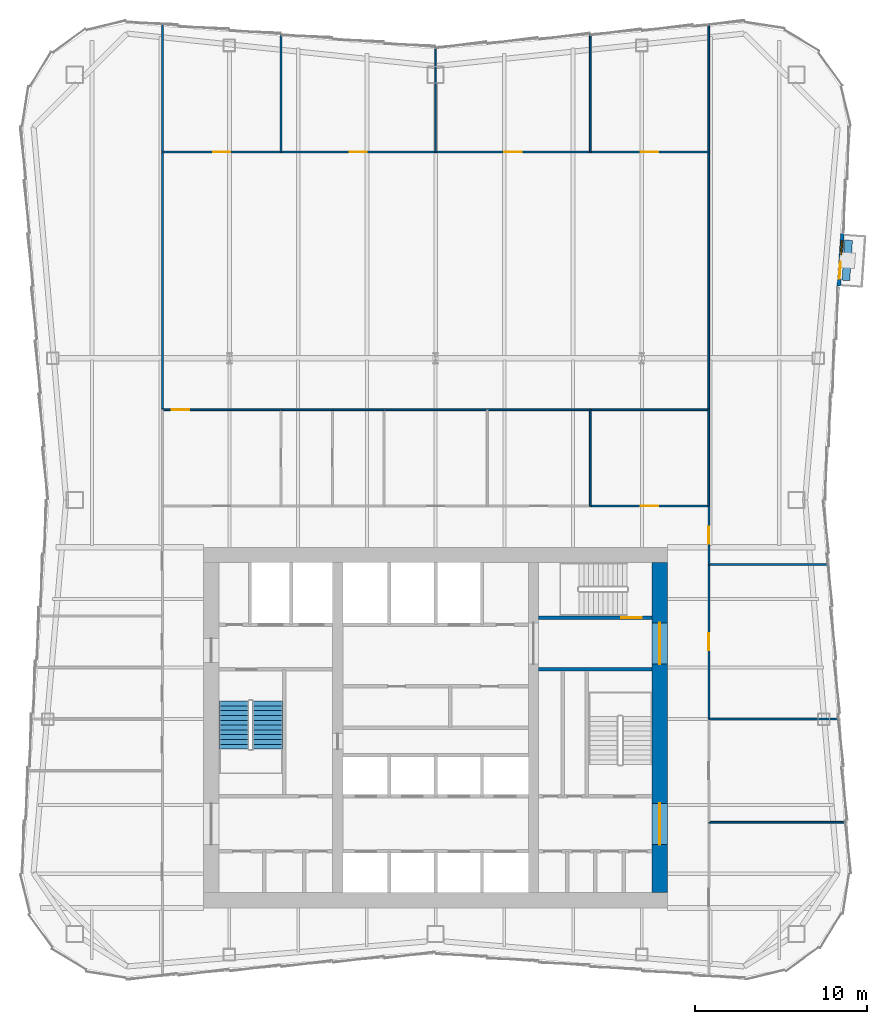
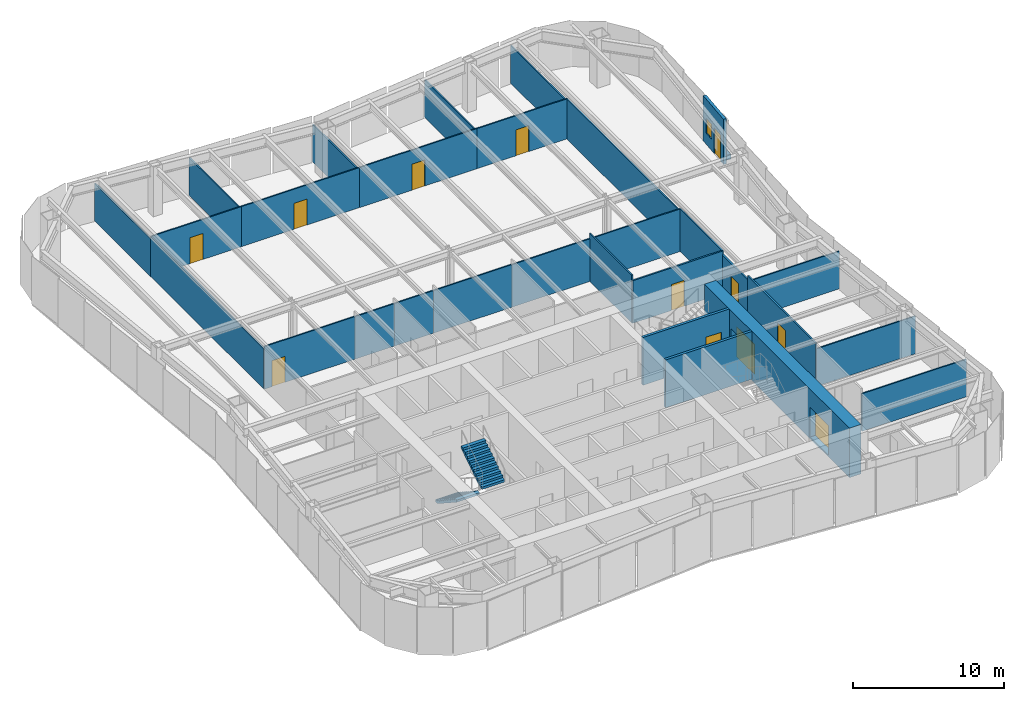
# One storey, part 7 of 10: 30 walls, 12 doors, 2 stair flights, 1 window, 13 openings, 1 element without a shape of its own.
"""IFC4 building model written with IfcOpenShell, lengths in metres."""

from ifc_helpers import new_model, si_unit, direction, frame, frame_2d, origin, place, context, subcontext, project, spatial, polyline, rectangle, outline, extrude, material, layer, layer_set, type_object, element, fill, aggregate, save


model = new_model("IFC4")

# Units and contexts
model_context = context("Model", 3, precision=1e-05, world=origin(), true_north=direction((0.0, 1.0)))
body_context = subcontext(model_context, "Body", "Model", "MODEL_VIEW")
ifc_project = project(units=[si_unit("LENGTHUNIT", "METRE"), si_unit("AREAUNIT", "SQUARE_METRE"), si_unit("VOLUMEUNIT", "CUBIC_METRE"), si_unit("PLANEANGLEUNIT", "RADIAN"), si_unit("MASSUNIT", "GRAM", prefix="KILO")], contexts=[model_context])

# Site, building, storey
site_placement = place(None, origin())
site = spatial("IfcSite", under=ifc_project, at=site_placement, CompositionType="ELEMENT")
building_placement = place(site_placement, origin())
building = spatial("IfcBuilding", under=site, at=building_placement, Name="Verdant Reach Tower", CompositionType="ELEMENT")
storey_placement = place(building_placement, frame((0.0, 0.0, 198.0)))
storey = spatial("IfcBuildingStorey", under=building, at=storey_placement, Name="L45", CompositionType="ELEMENT", Elevation=198.0)

# Wall
ifc_material_1 = material(Name="Concrete C40/50", Category="concrete")
ifc_layer_1 = layer(ifc_material_1, 0.199951171875)
ifc_layer_set_1 = layer_set([ifc_layer_1], Name="CO-WALL-STAIR")
wall_type_1 = type_object("IfcWallType", Name="CO-WALL-STAIR", PredefinedType="PARTITIONING", material=ifc_layer_set_1)
wall_1_placement = place(storey_placement, frame((6.0, 31.39990234375, 0.0), z_axis=(0.0, 0.0, 1.0), x_axis=(1.0, 0.0, 0.0)))
element("IfcWall", 1, at=wall_1_placement, inside=storey, type_object=wall_type_1, Name="Stair enclosure wall, L45", PredefinedType="PARTITIONING", context=body_context, shape_type="SweptSolid", body=[
    extrude(rectangle(XDim=6.60009765625, YDim=0.199951171875, at=frame_2d((3.300048828125, 0.0))), origin(), (0.0, 0.0, 1.0), 3.8701171875),
])

# Wall, opening, door
wall_2_placement = place(storey_placement, frame((6.0, 34.39990234375, 0.0), z_axis=(0.0, 0.0, 1.0), x_axis=(1.0, 0.0, 0.0)))
wall_2 = element("IfcWall", 2, at=wall_2_placement, inside=storey, type_object=wall_type_1, Name="Stair enclosure wall, L45", PredefinedType="PARTITIONING", context=body_context, shape_type="SweptSolid", body=[
    extrude(rectangle(XDim=6.60009765625, YDim=0.199951171875, at=frame_2d((3.300048828125, 0.0))), origin(), (0.0, 0.0, 1.0), 3.8701171875),
])
opening_1_placement = place(wall_2_placement, frame((4.800048828125, 0.0, 0.0)))
opening_1 = element("IfcOpeningElement", 3, at=opening_1_placement, cuts=wall_2, Name="Opening SD", PredefinedType="OPENING", context=body_context, shape_type="SweptSolid", body=[
    extrude(rectangle(XDim=1.199951171875, YDim=2.199951171875, at=frame_2d((0.60009765625, 1.10009765625))), frame((0.0, 0.10986328125, 0.0), z_axis=(0.0, -1.0, 0.0), x_axis=(1.0, 0.0, 0.0)), (0.0, 0.0, 1.0), 0.219970703125),
])
ifc_material_2 = material(Name="Steel", Category="steel")
door_type_1 = type_object("IfcDoorType", Name="CO-DOOR-STAIR", OperationType="NOTDEFINED", PredefinedType="DOOR", material=ifc_material_2)
door_1_placement = place(opening_1_placement, origin())
door_1 = element("IfcDoor", 4, at=door_1_placement, inside=storey, type_object=door_type_1, Name="Stair door, L45", OperationType="SINGLE_SWING_RIGHT", OverallHeight=2.199951171875, OverallWidth=1.199951171875, PredefinedType="DOOR", context=body_context, shape_type="SweptSolid", body=[
    extrude(rectangle(XDim=1.199951171875, YDim=2.199951171875, at=frame_2d((0.60009765625, 1.10009765625))), frame((0.0, 0.02490234375, 0.0), z_axis=(0.0, -1.0, 0.0), x_axis=(1.0, 0.0, 0.0)), (0.0, 0.0, 1.0), 0.050048828125),
])
fill(opening_1, door_1)

# Wall, openings, door, window
ifc_material_3 = material(Name="Insulated bronze aluminium panel wall", Category="aluminium")
ifc_layer_2 = layer(ifc_material_3, 0.219970703125)
ifc_layer_set_2 = layer_set([ifc_layer_2], Name="EN-INFILL WALL")
wall_type_2 = type_object("IfcWallType", Name="EN-INFILL WALL", PredefinedType="SOLIDWALL", material=ifc_layer_set_2)
wall_3_placement = place(storey_placement, frame((23.46826171875, 53.7041015625, 0.0), z_axis=(0.0, 0.0, 1.0), x_axis=(0.068793846076, 0.997630897047, 0.0)))
wall_3 = element("IfcWall", 5, at=wall_3_placement, inside=storey, type_object=wall_type_2, Name="External infill wall, balcony bay 1, L45", PredefinedType="SOLIDWALL", context=body_context, shape_type="SweptSolid", body=[
    extrude(rectangle(XDim=3.048583984375, YDim=0.218017578125, at=frame_2d((1.5244140625, 0.0))), origin(), (0.0, 0.0, 1.0), 3.64990234375),
])
opening_2_placement = place(wall_3_placement, frame((0.416259765625, 0.0, 0.0)))
opening_2 = element("IfcOpeningElement", 6, at=opening_2_placement, cuts=wall_3, Name="Opening BD1", PredefinedType="OPENING", context=body_context, shape_type="SweptSolid", body=[
    extrude(rectangle(XDim=1.0, YDim=2.10009765625, at=frame_2d((0.5, 1.050048828125))), frame((0.0, 0.118896484375, 0.0), z_axis=(0.0, -1.0, 0.0), x_axis=(1.0, 0.0, 0.0)), (0.0, 0.0, 1.0), 0.238037109375),
])
opening_3_placement = place(wall_3_placement, frame((1.832275390625, 0.0, 0.89990234375)))
opening_3 = element("IfcOpeningElement", 7, at=opening_3_placement, cuts=wall_3, Name="Opening BW1", PredefinedType="OPENING", context=body_context, shape_type="SweptSolid", body=[
    extrude(rectangle(XDim=0.800048828125, YDim=1.199951171875, at=frame_2d((0.39990234375, 0.60009765625))), frame((0.0, 0.118896484375, 0.0), z_axis=(0.0, -1.0, 0.0), x_axis=(1.0, 0.0, 0.0)), (0.0, 0.0, 1.0), 0.238037109375),
])
ifc_material_4 = material(Name="Aluminium framed glazed door", Category="aluminium")
door_type_2 = type_object("IfcDoorType", Name="EN-DOOR BALCONY", OperationType="NOTDEFINED", PredefinedType="DOOR", material=ifc_material_4)
door_2_placement = place(opening_2_placement, origin())
door_2 = element("IfcDoor", 8, at=door_2_placement, inside=storey, type_object=door_type_2, Name="Balcony door 1, L45", OperationType="SINGLE_SWING_LEFT", OverallHeight=2.10009765625, OverallWidth=1.0, PredefinedType="DOOR", context=body_context, shape_type="SweptSolid", body=[
    extrude(rectangle(XDim=1.0, YDim=2.10009765625, at=frame_2d((0.5, 1.050048828125))), frame((0.0, 0.02490234375, 0.0), z_axis=(0.0, -1.0, 0.0), x_axis=(1.0, 0.0, 0.0)), (0.0, 0.0, 1.0), 0.050048828125),
])
fill(opening_2, door_2)
ifc_material_5 = material(Name="Aluminium framed glazing", Category="aluminium")
window_type = type_object("IfcWindowType", Name="EN-WINDOW BALCONY", PartitioningType="SINGLE_PANEL", PredefinedType="WINDOW", material=ifc_material_5)
window_placement = place(opening_3_placement, origin())
window = element("IfcWindow", 9, at=window_placement, inside=storey, type_object=window_type, Name="Balcony window 1, L45", OverallHeight=1.199951171875, OverallWidth=0.800048828125, PartitioningType="SINGLE_PANEL", PredefinedType="WINDOW", context=body_context, shape_type="SweptSolid", body=[
    extrude(rectangle(XDim=0.800048828125, YDim=1.199951171875, at=frame_2d((0.39990234375, 0.60009765625))), frame((0.0, 0.030029296875, 0.0), z_axis=(0.0, -1.0, 0.0), x_axis=(1.0, 0.0, 0.0)), (0.0, 0.0, 1.0), 0.06005859375),
])
fill(opening_3, window)

# Wall
ifc_material_6 = material(Name="Precast concrete C30/37", Category="concrete")
ifc_layer_3 = layer(ifc_material_6, 0.449951171875)
ifc_layer_set_3 = layer_set([ifc_layer_3], Name="EN-PLANTER")
wall_type_3 = type_object("IfcWallType", Name="EN-PLANTER", PredefinedType="USERDEFINED", material=ifc_layer_set_3)
wall_4_placement = place(storey_placement, frame((23.875244140625, 54.02685546875, 0.0), z_axis=(0.0, 0.0, 1.0), x_axis=(0.068823499363, 0.997628851796, 0.0)))
element("IfcWall", 10, at=wall_4_placement, inside=storey, type_object=wall_type_3, Name="Balcony planter 1, L45", ObjectType="PLANTER", PredefinedType="USERDEFINED", context=body_context, shape_type="SweptSolid", body=[
    extrude(rectangle(XDim=2.348388671875, YDim=0.449951171875, at=frame_2d((1.17431640625, 0.0))), origin(), (0.0, 0.0, 1.0), 0.39990234375),
])

# Wall, opening, door
ifc_material_7 = material(Name="Gypsum board on steel studs", Category="steel")
ifc_layer_4 = layer(ifc_material_7, 0.10009765625)
ifc_layer_set_4 = layer_set([ifc_layer_4], Name="FL-W1 Partition 100")
wall_type_4 = type_object("IfcWallType", Name="FL-W1 Partition 100", PredefinedType="PARTITIONING", material=ifc_layer_set_4)
wall_5_placement = place(storey_placement, frame((-15.89990234375, 46.5, 0.0), z_axis=(0.0, 0.0, 1.0), x_axis=(1.0, 0.0, 0.0)))
wall_5 = element("IfcWall", 11, at=wall_5_placement, inside=storey, type_object=wall_type_4, Name="Partition 45.17", PredefinedType="PARTITIONING", context=body_context, shape_type="SweptSolid", body=[
    extrude(rectangle(XDim=6.90380859375, YDim=0.10009765625, at=frame_2d((3.451904296875, 0.0))), origin(), (0.0, 0.0, 1.0), 3.43994140625),
])
opening_4_placement = place(wall_5_placement, frame((0.552001953125, 0.0, 0.0)))
opening_4 = element("IfcOpeningElement", 12, at=opening_4_placement, cuts=wall_5, Name="Opening D3", PredefinedType="OPENING", context=body_context, shape_type="SweptSolid", body=[
    extrude(rectangle(XDim=1.0, YDim=2.10009765625, at=frame_2d((0.5, 1.050048828125))), frame((0.0, 0.06005859375, 0.0), z_axis=(0.0, -1.0, 0.0), x_axis=(1.0, 0.0, 0.0)), (0.0, 0.0, 1.0), 0.1201171875),
])
ifc_material_8 = material(Name="Painted timber door leaf", Category="wood")
door_type_3 = type_object("IfcDoorType", Name="FL-D3 Door 1000x2100", OperationType="NOTDEFINED", PredefinedType="DOOR", material=ifc_material_8)
door_3_placement = place(opening_4_placement, origin())
door_3 = element("IfcDoor", 13, at=door_3_placement, inside=storey, type_object=door_type_3, Name="Door 45-015", OperationType="SINGLE_SWING_LEFT", OverallHeight=2.10009765625, OverallWidth=1.0, PredefinedType="DOOR", context=body_context, shape_type="SweptSolid", body=[
    extrude(rectangle(XDim=1.0, YDim=2.10009765625, at=frame_2d((0.5, 1.050048828125))), frame((0.0, 0.02490234375, 0.0), z_axis=(0.0, -1.0, 0.0), x_axis=(1.0, 0.0, 0.0)), (0.0, 0.0, 1.0), 0.050048828125),
])
fill(opening_4, door_3)

# Walls
for number, where, z_axis, x_axis, name in (
    (14, (-5.99609375, 46.5, 0.0), (0.0, 0.0, 1.0), (-1.0, 0.0, 0.0), "Partition 45.20"),
    (15, (-2.99609375, 46.5, 0.0), (0.0, 0.0, 1.0), (-1.0, 0.0, 0.0), "Partition 45.22"),
):
    element("IfcWall", number, at=place(storey_placement, frame(where, z_axis=z_axis, x_axis=x_axis)), inside=storey, type_object=wall_type_4, Name=name, PredefinedType="PARTITIONING", context=body_context, shape_type="SweptSolid", body=[
        extrude(rectangle(XDim=3.0078125, YDim=0.10009765625, at=frame_2d((1.50390625, 0.0))), origin(), (0.0, 0.0, 1.0), 3.43994140625),
    ])
wall_6_placement = place(storey_placement, frame((3.00390625, 46.5, 0.0), z_axis=(0.0, 0.0, 1.0), x_axis=(-1.0, 0.0, 0.0)))
element("IfcWall", 16, at=wall_6_placement, inside=storey, type_object=wall_type_4, Name="Partition 45.24", PredefinedType="PARTITIONING", context=body_context, shape_type="SweptSolid", body=[
    extrude(rectangle(XDim=6.0078125, YDim=0.10009765625, at=frame_2d((3.00390625, 0.0))), origin(), (0.0, 0.0, 1.0), 3.43994140625),
])
wall_7_placement = place(storey_placement, frame((9.0, 40.89990234375, 0.0), z_axis=(0.0, 0.0, 1.0), x_axis=(0.0, 1.0, 0.0)))
element("IfcWall", 17, at=wall_7_placement, inside=storey, type_object=wall_type_4, Name="Partition 45.25", PredefinedType="PARTITIONING", context=body_context, shape_type="SweptSolid", body=[
    extrude(rectangle(XDim=5.60009765625, YDim=0.10009765625, at=frame_2d((2.800048828125, 0.0))), origin(), (0.0, 0.0, 1.0), 3.8701171875),
])
wall_8_placement = place(storey_placement, frame((9.00390625, 46.5, 0.0), z_axis=(0.0, 0.0, 1.0), x_axis=(-1.0, 0.0, 0.0)))
element("IfcWall", 18, at=wall_8_placement, inside=storey, type_object=wall_type_4, Name="Partition 45.26", PredefinedType="PARTITIONING", context=body_context, shape_type="SweptSolid", body=[
    extrude(rectangle(XDim=6.0078125, YDim=0.10009765625, at=frame_2d((3.00390625, 0.0))), origin(), (0.0, 0.0, 1.0), 3.43994140625),
])
wall_9_placement = place(storey_placement, frame((15.89990234375, 46.5, 0.0), z_axis=(0.0, 0.0, 1.0), x_axis=(-1.0, 0.0, 0.0)))
element("IfcWall", 19, at=wall_9_placement, inside=storey, type_object=wall_type_4, Name="Partition 45.27", PredefinedType="PARTITIONING", context=body_context, shape_type="SweptSolid", body=[
    extrude(rectangle(XDim=6.90380859375, YDim=0.10009765625, at=frame_2d((3.451904296875, 0.0))), origin(), (0.0, 0.0, 1.0), 3.43994140625),
])
wall_10_placement = place(storey_placement, frame((15.89990234375, 40.89599609375, 0.0), z_axis=(0.0, 0.0, 1.0), x_axis=(0.0, 1.0, 0.0)))
element("IfcWall", 20, at=wall_10_placement, inside=storey, type_object=wall_type_4, Name="Partition 45.28", PredefinedType="PARTITIONING", context=body_context, shape_type="SweptSolid", body=[
    extrude(rectangle(XDim=5.60791015625, YDim=0.10009765625, at=frame_2d((2.803955078125, 0.0))), origin(), (0.0, 0.0, 1.0), 3.43994140625),
])

# Wall, opening, door
wall_11_placement = place(storey_placement, frame((-15.89990234375, 61.5, 0.0), z_axis=(0.0, 0.0, 1.0), x_axis=(1.0, 0.0, 0.0)))
wall_11 = element("IfcWall", 21, at=wall_11_placement, inside=storey, type_object=wall_type_4, Name="Partition 45.29", PredefinedType="PARTITIONING", context=body_context, shape_type="SweptSolid", body=[
    extrude(rectangle(XDim=6.89990234375, YDim=0.10009765625, at=frame_2d((3.449951171875, 0.0))), origin(), (0.0, 0.0, 1.0), 3.239990234375),
])
opening_5_placement = place(wall_11_placement, frame((2.949951171875, 0.0, 0.0)))
opening_5 = element("IfcOpeningElement", 22, at=opening_5_placement, cuts=wall_11, Name="Opening D3", PredefinedType="OPENING", context=body_context, shape_type="SweptSolid", body=[
    extrude(rectangle(XDim=1.0, YDim=2.10009765625, at=frame_2d((0.5, 1.050048828125))), frame((0.0, 0.06005859375, 0.0), z_axis=(0.0, -1.0, 0.0), x_axis=(1.0, 0.0, 0.0)), (0.0, 0.0, 1.0), 0.1201171875),
])
door_4_placement = place(opening_5_placement, origin())
door_4 = element("IfcDoor", 23, at=door_4_placement, inside=storey, type_object=door_type_3, Name="Door 45-017", OperationType="SINGLE_SWING_LEFT", OverallHeight=2.10009765625, OverallWidth=1.0, PredefinedType="DOOR", context=body_context, shape_type="SweptSolid", body=[
    extrude(rectangle(XDim=1.0, YDim=2.10009765625, at=frame_2d((0.5, 1.050048828125))), frame((0.0, 0.02490234375, 0.0), z_axis=(0.0, -1.0, 0.0), x_axis=(1.0, 0.0, 0.0)), (0.0, 0.0, 1.0), 0.050048828125),
])
fill(opening_5, door_4)

wall_12_placement = place(storey_placement, frame((-9.0, 61.5, 0.0), z_axis=(0.0, 0.0, 1.0), x_axis=(1.0, 0.0, 0.0)))
wall_12 = element("IfcWall", 24, at=wall_12_placement, inside=storey, type_object=wall_type_4, Name="Partition 45.30", PredefinedType="PARTITIONING", context=body_context, shape_type="SweptSolid", body=[
    extrude(rectangle(XDim=9.0, YDim=0.10009765625, at=frame_2d((4.5, 0.0))), origin(), (0.0, 0.0, 1.0), 3.239990234375),
])
opening_6_placement = place(wall_12_placement, frame((4.0, 0.0, 0.0)))
opening_6 = element("IfcOpeningElement", 25, at=opening_6_placement, cuts=wall_12, Name="Opening D3", PredefinedType="OPENING", context=body_context, shape_type="SweptSolid", body=[
    extrude(rectangle(XDim=1.0, YDim=2.10009765625, at=frame_2d((0.5, 1.050048828125))), frame((0.0, 0.06005859375, 0.0), z_axis=(0.0, -1.0, 0.0), x_axis=(1.0, 0.0, 0.0)), (0.0, 0.0, 1.0), 0.1201171875),
])
door_5_placement = place(opening_6_placement, origin())
door_5 = element("IfcDoor", 26, at=door_5_placement, inside=storey, type_object=door_type_3, Name="Door 45-018", OperationType="SINGLE_SWING_RIGHT", OverallHeight=2.10009765625, OverallWidth=1.0, PredefinedType="DOOR", context=body_context, shape_type="SweptSolid", body=[
    extrude(rectangle(XDim=1.0, YDim=2.10009765625, at=frame_2d((0.5, 1.050048828125))), frame((0.0, 0.02490234375, 0.0), z_axis=(0.0, -1.0, 0.0), x_axis=(1.0, 0.0, 0.0)), (0.0, 0.0, 1.0), 0.050048828125),
])
fill(opening_6, door_5)

wall_13_placement = place(storey_placement, frame((0.0, 61.5, 0.0), z_axis=(0.0, 0.0, 1.0), x_axis=(1.0, 0.0, 0.0)))
wall_13 = element("IfcWall", 27, at=wall_13_placement, inside=storey, type_object=wall_type_4, Name="Partition 45.31", PredefinedType="PARTITIONING", context=body_context, shape_type="SweptSolid", body=[
    extrude(rectangle(XDim=9.0, YDim=0.10009765625, at=frame_2d((4.5, 0.0))), origin(), (0.0, 0.0, 1.0), 3.239990234375),
])
opening_7_placement = place(wall_13_placement, frame((4.0, 0.0, 0.0)))
opening_7 = element("IfcOpeningElement", 28, at=opening_7_placement, cuts=wall_13, Name="Opening D3", PredefinedType="OPENING", context=body_context, shape_type="SweptSolid", body=[
    extrude(rectangle(XDim=1.0, YDim=2.10009765625, at=frame_2d((0.5, 1.050048828125))), frame((0.0, 0.06005859375, 0.0), z_axis=(0.0, -1.0, 0.0), x_axis=(1.0, 0.0, 0.0)), (0.0, 0.0, 1.0), 0.1201171875),
])
door_6_placement = place(opening_7_placement, origin())
door_6 = element("IfcDoor", 29, at=door_6_placement, inside=storey, type_object=door_type_3, Name="Door 45-019", OperationType="SINGLE_SWING_LEFT", OverallHeight=2.10009765625, OverallWidth=1.0, PredefinedType="DOOR", context=body_context, shape_type="SweptSolid", body=[
    extrude(rectangle(XDim=1.0, YDim=2.10009765625, at=frame_2d((0.5, 1.050048828125))), frame((0.0, 0.02490234375, 0.0), z_axis=(0.0, -1.0, 0.0), x_axis=(1.0, 0.0, 0.0)), (0.0, 0.0, 1.0), 0.050048828125),
])
fill(opening_7, door_6)

wall_14_placement = place(storey_placement, frame((9.0, 61.5, 0.0), z_axis=(0.0, 0.0, 1.0), x_axis=(1.0, 0.0, 0.0)))
wall_14 = element("IfcWall", 30, at=wall_14_placement, inside=storey, type_object=wall_type_4, Name="Partition 45.32", PredefinedType="PARTITIONING", context=body_context, shape_type="SweptSolid", body=[
    extrude(rectangle(XDim=6.89990234375, YDim=0.10009765625, at=frame_2d((3.449951171875, 0.0))), origin(), (0.0, 0.0, 1.0), 3.239990234375),
])
opening_8_placement = place(wall_14_placement, frame((2.949951171875, 0.0, 0.0)))
opening_8 = element("IfcOpeningElement", 31, at=opening_8_placement, cuts=wall_14, Name="Opening D3", PredefinedType="OPENING", context=body_context, shape_type="SweptSolid", body=[
    extrude(rectangle(XDim=1.0, YDim=2.10009765625, at=frame_2d((0.5, 1.050048828125))), frame((0.0, 0.06005859375, 0.0), z_axis=(0.0, -1.0, 0.0), x_axis=(1.0, 0.0, 0.0)), (0.0, 0.0, 1.0), 0.1201171875),
])
door_7_placement = place(opening_8_placement, origin())
door_7 = element("IfcDoor", 32, at=door_7_placement, inside=storey, type_object=door_type_3, Name="Door 45-020", OperationType="SINGLE_SWING_RIGHT", OverallHeight=2.10009765625, OverallWidth=1.0, PredefinedType="DOOR", context=body_context, shape_type="SweptSolid", body=[
    extrude(rectangle(XDim=1.0, YDim=2.10009765625, at=frame_2d((0.5, 1.050048828125))), frame((0.0, 0.02490234375, 0.0), z_axis=(0.0, -1.0, 0.0), x_axis=(1.0, 0.0, 0.0)), (0.0, 0.0, 1.0), 0.050048828125),
])
fill(opening_8, door_7)

# Walls
for number, where, z_axis, x_axis, name in (
    (33, (-15.89990234375, 61.50390625, 0.0), (0.0, 0.0, 1.0), (0.0, -1.0, 0.0), "Partition 45.33"),
    (34, (15.89990234375, 46.49609375, 0.0), (0.0, 0.0, 1.0), (0.0, 1.0, 0.0), "Partition 45.34"),
):
    element("IfcWall", number, at=place(storey_placement, frame(where, z_axis=z_axis, x_axis=x_axis)), inside=storey, type_object=wall_type_4, Name=name, PredefinedType="PARTITIONING", context=body_context, shape_type="SweptSolid", body=[
        extrude(rectangle(XDim=15.0078125, YDim=0.10009765625, at=frame_2d((7.50390625, 0.0))), origin(), (0.0, 0.0, 1.0), 3.239990234375),
    ])
wall_15_placement = place(storey_placement, frame((-9.0, 61.5, 0.0), z_axis=(0.0, 0.0, 1.0), x_axis=(0.0, 1.0, 0.0)))
element("IfcWall", 35, at=wall_15_placement, inside=storey, type_object=wall_type_4, Name="Partition 45.35", PredefinedType="PARTITIONING", context=body_context, shape_type="SweptSolid", body=[
    extrude(rectangle(XDim=6.830078125, YDim=0.10009765625, at=frame_2d((3.4150390625, 0.0))), origin(), (0.0, 0.0, 1.0), 3.0400390625),
])
wall_16_placement = place(storey_placement, frame((-15.89990234375, 68.905029296875, 0.0), z_axis=(0.0, 0.0, 1.0), x_axis=(0.0, -1.0, 0.0)))
element("IfcWall", 36, at=wall_16_placement, inside=storey, type_object=wall_type_4, Name="Partition 45.36", PredefinedType="PARTITIONING", context=body_context, shape_type="SweptSolid", body=[
    extrude(rectangle(XDim=7.408935546875, YDim=0.10009765625, at=frame_2d((3.70458984375, 0.0))), origin(), (0.0, 0.0, 1.0), 3.0400390625),
])
wall_17_placement = place(storey_placement, frame((0.0, 61.5, 0.0), z_axis=(0.0, 0.0, 1.0), x_axis=(0.0, 1.0, 0.0)))
element("IfcWall", 37, at=wall_17_placement, inside=storey, type_object=wall_type_4, Name="Partition 45.37", PredefinedType="PARTITIONING", context=body_context, shape_type="SweptSolid", body=[
    extrude(rectangle(XDim=6.080078125, YDim=0.10009765625, at=frame_2d((3.0400390625, 0.0))), origin(), (0.0, 0.0, 1.0), 3.0400390625),
])
wall_18_placement = place(storey_placement, frame((9.0, 61.5, 0.0), z_axis=(0.0, 0.0, 1.0), x_axis=(0.0, 1.0, 0.0)))
element("IfcWall", 38, at=wall_18_placement, inside=storey, type_object=wall_type_4, Name="Partition 45.38", PredefinedType="PARTITIONING", context=body_context, shape_type="SweptSolid", body=[
    extrude(rectangle(XDim=6.830078125, YDim=0.10009765625, at=frame_2d((3.4150390625, 0.0))), origin(), (0.0, 0.0, 1.0), 3.0400390625),
])
wall_19_placement = place(storey_placement, frame((15.89990234375, 61.49609375, 0.0), z_axis=(0.0, 0.0, 1.0), x_axis=(0.0, 1.0, 0.0)))
element("IfcWall", 39, at=wall_19_placement, inside=storey, type_object=wall_type_4, Name="Partition 45.39", PredefinedType="PARTITIONING", context=body_context, shape_type="SweptSolid", body=[
    extrude(rectangle(XDim=7.408935546875, YDim=0.10009765625, at=frame_2d((3.70458984375, 0.0))), origin(), (0.0, 0.0, 1.0), 3.0400390625),
])
wall_20_placement = place(storey_placement, frame((23.873046875, 22.5, 0.0), z_axis=(0.0, 0.0, 1.0), x_axis=(-1.0, 0.0, 0.0)))
element("IfcWall", 40, at=wall_20_placement, inside=storey, type_object=wall_type_4, Name="Partition 45.44", PredefinedType="PARTITIONING", context=body_context, shape_type="SweptSolid", body=[
    extrude(rectangle(XDim=7.97314453125, YDim=0.10009765625, at=frame_2d((3.986572265625, 0.0))), origin(), (0.0, 0.0, 1.0), 3.0400390625),
])
wall_21_placement = place(storey_placement, frame((23.459228515625, 28.5, 0.0), z_axis=(0.0, 0.0, 1.0), x_axis=(-1.0, 0.0, 0.0)))
element("IfcWall", 41, at=wall_21_placement, inside=storey, type_object=wall_type_4, Name="Partition 45.45", PredefinedType="PARTITIONING", context=body_context, shape_type="SweptSolid", body=[
    extrude(rectangle(XDim=7.559326171875, YDim=0.10009765625, at=frame_2d((3.77978515625, 0.0))), origin(), (0.0, 0.0, 1.0), 3.0400390625),
])
wall_22_placement = place(storey_placement, frame((22.838623046875, 37.5, 0.0), z_axis=(0.0, 0.0, 1.0), x_axis=(-1.0, 0.0, 0.0)))
element("IfcWall", 42, at=wall_22_placement, inside=storey, type_object=wall_type_4, Name="Partition 45.46", PredefinedType="PARTITIONING", context=body_context, shape_type="SweptSolid", body=[
    extrude(rectangle(XDim=6.938720703125, YDim=0.10009765625, at=frame_2d((3.46923828125, 0.0))), origin(), (0.0, 0.0, 1.0), 3.0400390625),
])

# Wall, opening, door
ifc_material_9 = material(Name="Gypsum board on steel studs, fire rated", Category="steel")
ifc_layer_5 = layer(ifc_material_9, 0.125)
ifc_layer_set_5 = layer_set([ifc_layer_5], Name="FL-W2 Corridor wall 125")
wall_type_5 = type_object("IfcWallType", Name="FL-W2 Corridor wall 125", PredefinedType="PARTITIONING", material=ifc_layer_set_5)
wall_23_placement = place(storey_placement, frame((9.0, 40.89990234375, 0.0), z_axis=(0.0, 0.0, 1.0), x_axis=(1.0, 0.0, 0.0)))
wall_23 = element("IfcWall", 43, at=wall_23_placement, inside=storey, type_object=wall_type_5, Name="Partition 45.06", PredefinedType="PARTITIONING", context=body_context, shape_type="SweptSolid", body=[
    extrude(rectangle(XDim=6.89990234375, YDim=0.125, at=frame_2d((3.449951171875, 0.0))), origin(), (0.0, 0.0, 1.0), 3.43994140625),
])
opening_9_placement = place(wall_23_placement, frame((2.949951171875, 0.0, 0.0)))
opening_9 = element("IfcOpeningElement", 44, at=opening_9_placement, cuts=wall_23, Name="Opening D2", PredefinedType="OPENING", context=body_context, shape_type="SweptSolid", body=[
    extrude(rectangle(XDim=1.0, YDim=2.10009765625, at=frame_2d((0.5, 1.050048828125))), frame((0.0, 0.072509765625, 0.0), z_axis=(0.0, -1.0, 0.0), x_axis=(1.0, 0.0, 0.0)), (0.0, 0.0, 1.0), 0.14501953125),
])
ifc_material_10 = material(Name="Timber door leaf, fire rated", Category="wood")
door_type_4 = type_object("IfcDoorType", Name="FL-D2 Entrance door 1000x2100 FD30", OperationType="NOTDEFINED", PredefinedType="DOOR", material=ifc_material_10)
door_8_placement = place(opening_9_placement, origin())
door_8 = element("IfcDoor", 45, at=door_8_placement, inside=storey, type_object=door_type_4, Name="Door 45-004", OperationType="SINGLE_SWING_RIGHT", OverallHeight=2.10009765625, OverallWidth=1.0, PredefinedType="DOOR", context=body_context, shape_type="SweptSolid", body=[
    extrude(rectangle(XDim=1.0, YDim=2.10009765625, at=frame_2d((0.5, 1.050048828125))), frame((0.0, 0.02490234375, 0.0), z_axis=(0.0, -1.0, 0.0), x_axis=(1.0, 0.0, 0.0)), (0.0, 0.0, 1.0), 0.050048828125),
])
fill(opening_9, door_8)

wall_24_placement = place(storey_placement, frame((15.89990234375, 37.5, 0.0), z_axis=(0.0, 0.0, 1.0), x_axis=(0.0, -1.0, 0.0)))
wall_24 = element("IfcWall", 46, at=wall_24_placement, inside=storey, type_object=wall_type_5, Name="Partition 45.14", PredefinedType="PARTITIONING", context=body_context, shape_type="SweptSolid", body=[
    extrude(rectangle(XDim=9.0, YDim=0.125, at=frame_2d((4.5, 0.0))), origin(), (0.0, 0.0, 1.0), 3.47998046875),
])
opening_10_placement = place(wall_24_placement, frame((4.0, 0.0, 0.0)))
opening_10 = element("IfcOpeningElement", 47, at=opening_10_placement, cuts=wall_24, Name="Opening D2", PredefinedType="OPENING", context=body_context, shape_type="SweptSolid", body=[
    extrude(rectangle(XDim=1.0, YDim=2.10009765625, at=frame_2d((0.5, 1.050048828125))), frame((0.0, 0.072509765625, 0.0), z_axis=(0.0, -1.0, 0.0), x_axis=(1.0, 0.0, 0.0)), (0.0, 0.0, 1.0), 0.14501953125),
])
door_9_placement = place(opening_10_placement, origin())
door_9 = element("IfcDoor", 48, at=door_9_placement, inside=storey, type_object=door_type_4, Name="Door 45-012", OperationType="SINGLE_SWING_RIGHT", OverallHeight=2.10009765625, OverallWidth=1.0, PredefinedType="DOOR", context=body_context, shape_type="SweptSolid", body=[
    extrude(rectangle(XDim=1.0, YDim=2.10009765625, at=frame_2d((0.5, 1.050048828125))), frame((0.0, 0.02490234375, 0.0), z_axis=(0.0, -1.0, 0.0), x_axis=(1.0, 0.0, 0.0)), (0.0, 0.0, 1.0), 0.050048828125),
])
fill(opening_10, door_9)

wall_25_placement = place(storey_placement, frame((15.89990234375, 40.904052734375, 0.0), z_axis=(0.0, 0.0, 1.0), x_axis=(0.0, -1.0, 0.0)))
wall_25 = element("IfcWall", 49, at=wall_25_placement, inside=storey, type_object=wall_type_5, Name="Partition 45.15", PredefinedType="PARTITIONING", context=body_context, shape_type="SweptSolid", body=[
    extrude(rectangle(XDim=3.404052734375, YDim=0.125, at=frame_2d((1.7021484375, 0.0))), origin(), (0.0, 0.0, 1.0), 3.139892578125),
])
opening_11_placement = place(wall_25_placement, frame((1.201904296875, 0.0, 0.0)))
opening_11 = element("IfcOpeningElement", 50, at=opening_11_placement, cuts=wall_25, Name="Opening D2", PredefinedType="OPENING", context=body_context, shape_type="SweptSolid", body=[
    extrude(rectangle(XDim=1.0, YDim=2.10009765625, at=frame_2d((0.5, 1.050048828125))), frame((0.0, 0.072509765625, 0.0), z_axis=(0.0, -1.0, 0.0), x_axis=(1.0, 0.0, 0.0)), (0.0, 0.0, 1.0), 0.14501953125),
])
door_10_placement = place(opening_11_placement, origin())
door_10 = element("IfcDoor", 51, at=door_10_placement, inside=storey, type_object=door_type_4, Name="Door 45-013", OperationType="SINGLE_SWING_LEFT", OverallHeight=2.10009765625, OverallWidth=1.0, PredefinedType="DOOR", context=body_context, shape_type="SweptSolid", body=[
    extrude(rectangle(XDim=1.0, YDim=2.10009765625, at=frame_2d((0.5, 1.050048828125))), frame((0.0, 0.02490234375, 0.0), z_axis=(0.0, -1.0, 0.0), x_axis=(1.0, 0.0, 0.0)), (0.0, 0.0, 1.0), 0.050048828125),
])
fill(opening_11, door_10)

# Wall, openings, doors
ifc_material_11 = material(Name="Concrete C70/85", Category="concrete")
ifc_layer_6 = layer(ifc_material_11, 0.89990234375)
ifc_layer_set_6 = layer_set([ifc_layer_6], Name="ST-CORE-WALL-900")
wall_type_6 = type_object("IfcWallType", Name="ST-CORE-WALL-900", PredefinedType="SHEAR", material=ifc_layer_set_6)
wall_26_placement = place(storey_placement, frame((13.050048828125, 18.39990234375, -0.1298828125), z_axis=(0.0, 0.0, 1.0), x_axis=(0.0, 1.0, 0.0)))
wall_26 = element("IfcWall", 52, at=wall_26_placement, inside=storey, type_object=wall_type_6, Name="Core wall E, L45", PredefinedType="SHEAR", context=body_context, shape_type="SweptSolid", body=[
    extrude(rectangle(XDim=19.2001953125, YDim=0.89990234375, at=frame_2d((9.60009765625, 0.0))), origin(), (0.0, 0.0, 1.0), 4.0),
])
opening_12_placement = place(wall_26_placement, frame((2.800048828125, 0.0, 0.1298828125)))
opening_12 = element("IfcOpeningElement", 53, at=opening_12_placement, cuts=wall_26, Name="Opening LB", PredefinedType="OPENING", context=body_context, shape_type="SweptSolid", body=[
    extrude(rectangle(XDim=2.39990234375, YDim=2.39990234375, at=frame_2d((1.199951171875, 1.199951171875))), frame((0.0, 0.4599609375, 0.0), z_axis=(0.0, -1.0, 0.0), x_axis=(1.0, 0.0, 0.0)), (0.0, 0.0, 1.0), 0.919921875),
])
opening_13_placement = place(wall_26_placement, frame((13.300048828125, 0.0, 0.1298828125)))
opening_13 = element("IfcOpeningElement", 54, at=opening_13_placement, cuts=wall_26, Name="Opening LB", PredefinedType="OPENING", context=body_context, shape_type="SweptSolid", body=[
    extrude(rectangle(XDim=2.39990234375, YDim=2.39990234375, at=frame_2d((1.199951171875, 1.199951171875))), frame((0.0, 0.4599609375, 0.0), z_axis=(0.0, -1.0, 0.0), x_axis=(1.0, 0.0, 0.0)), (0.0, 0.0, 1.0), 0.919921875),
])
ifc_material_12 = material(Name="Glass and steel", Category="steel")
door_type_5 = type_object("IfcDoorType", Name="CO-DOOR-LOBBY", OperationType="DOUBLE_DOOR_SINGLE_SWING", PredefinedType="DOOR", material=ifc_material_12)
door_11_placement = place(opening_12_placement, origin())
door_11 = element("IfcDoor", 55, at=door_11_placement, inside=storey, type_object=door_type_5, Name="Core entrance door, L45", OperationType="DOUBLE_DOOR_SINGLE_SWING", OverallHeight=2.39990234375, OverallWidth=2.39990234375, PredefinedType="DOOR", context=body_context, shape_type="SweptSolid", body=[
    extrude(rectangle(XDim=2.39990234375, YDim=2.39990234375, at=frame_2d((1.199951171875, 1.199951171875))), frame((0.0, 0.02490234375, 0.0), z_axis=(0.0, -1.0, 0.0), x_axis=(1.0, 0.0, 0.0)), (0.0, 0.0, 1.0), 0.050048828125),
])
fill(opening_12, door_11)
door_12_placement = place(opening_13_placement, origin())
door_12 = element("IfcDoor", 56, at=door_12_placement, inside=storey, type_object=door_type_5, Name="Core entrance door, L45", OperationType="DOUBLE_DOOR_SINGLE_SWING", OverallHeight=2.39990234375, OverallWidth=2.39990234375, PredefinedType="DOOR", context=body_context, shape_type="SweptSolid", body=[
    extrude(rectangle(XDim=2.39990234375, YDim=2.39990234375, at=frame_2d((1.199951171875, 1.199951171875))), frame((0.0, 0.02490234375, 0.0), z_axis=(0.0, -1.0, 0.0), x_axis=(1.0, 0.0, 0.0)), (0.0, 0.0, 1.0), 0.050048828125),
])
fill(opening_13, door_12)

# Stair, stair flights
stair_type = type_object("IfcStairType", Name="CO-STAIR", PredefinedType="HALF_TURN_STAIR", material=ifc_material_1)
stair_placement = place(storey_placement, origin())
stair = element("IfcStair", 57, at=stair_placement, inside=storey, type_object=stair_type, Name="L45 Exit stair 1", PredefinedType="HALF_TURN_STAIR")
stair_flight_type = type_object("IfcStairFlightType", Name="CO-STAIR-FLIGHT", PredefinedType="STRAIGHT", material=ifc_material_1)
stair_flight_1_placement = place(storey_placement, frame((-11.72509765625, 29.550048828125, 0.0), z_axis=(0.0, 0.0, 1.0), x_axis=(0.0, -1.0, 0.0)))
stair_flight_1 = element("IfcStairFlight", 58, at=stair_flight_1_placement, type_object=stair_flight_type, Name="ST-1 flight 1", NumberOfRisers=11, NumberOfTreads=10, PredefinedType="STRAIGHT", RiserHeight=0.181818182, TreadLength=0.28, context=body_context, shape_type="SweptSolid", body=[
    extrude(outline(polyline([(0.0, 0.0), (0.0, 0.181884765625), (0.280029296875, 0.181884765625), (0.280029296875, 0.363525390625), (0.56005859375, 0.363525390625), (0.56005859375, 0.54541015625), (0.840087890625, 0.54541015625), (0.840087890625, 0.727294921875), (1.1201171875, 0.727294921875), (1.1201171875, 0.9091796875), (1.39990234375, 0.9091796875), (1.39990234375, 1.0908203125), (1.679931640625, 1.0908203125), (1.679931640625, 1.272705078125), (1.9599609375, 1.272705078125), (1.9599609375, 1.45458984375), (2.239990234375, 1.45458984375), (2.239990234375, 1.636474609375), (2.52001953125, 1.636474609375), (2.52001953125, 1.818115234375), (2.800048828125, 1.818115234375), (2.800048828125, 2.0), (2.800048828125, 1.639404296875), (0.275146484375, 0.0), (0.0, 0.0)])), frame((0.0, 0.875, 0.0), z_axis=(0.0, -1.0, 0.0), x_axis=(1.0, 0.0, 0.0)), (0.0, 0.0, 1.0), 1.75),
])
stair_flight_2_placement = place(storey_placement, frame((-9.77490234375, 26.75, 2.0), z_axis=(0.0, 0.0, 1.0), x_axis=(0.0, 1.0, 0.0)))
stair_flight_2 = element("IfcStairFlight", 59, at=stair_flight_2_placement, type_object=stair_flight_type, Name="ST-1 flight 2", NumberOfRisers=11, NumberOfTreads=10, PredefinedType="STRAIGHT", RiserHeight=0.181818182, TreadLength=0.28, context=body_context, shape_type="SweptSolid", body=[
    extrude(outline(polyline([(0.0, 0.0), (0.0, 0.181884765625), (0.280029296875, 0.181884765625), (0.280029296875, 0.363525390625), (0.56005859375, 0.363525390625), (0.56005859375, 0.54541015625), (0.840087890625, 0.54541015625), (0.840087890625, 0.727294921875), (1.1201171875, 0.727294921875), (1.1201171875, 0.9091796875), (1.39990234375, 0.9091796875), (1.39990234375, 1.0908203125), (1.679931640625, 1.0908203125), (1.679931640625, 1.272705078125), (1.9599609375, 1.272705078125), (1.9599609375, 1.45458984375), (2.239990234375, 1.45458984375), (2.239990234375, 1.636474609375), (2.52001953125, 1.636474609375), (2.52001953125, 1.818115234375), (2.800048828125, 1.818115234375), (2.800048828125, 2.0), (2.800048828125, 1.639404296875), (0.275146484375, 0.0), (0.0, 0.0)])), frame((0.0, 0.875, 0.0), z_axis=(0.0, -1.0, 0.0), x_axis=(1.0, 0.0, 0.0)), (0.0, 0.0, 1.0), 1.75),
])
aggregate(stair, [stair_flight_1, stair_flight_2])

save(model, "model.ifc")
